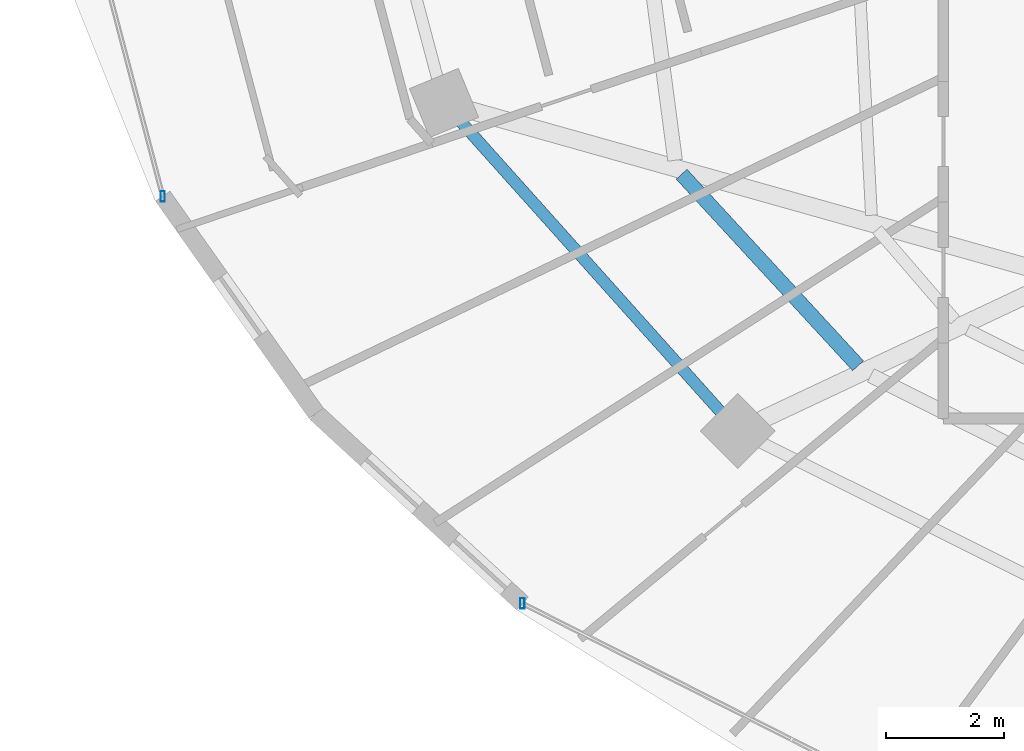
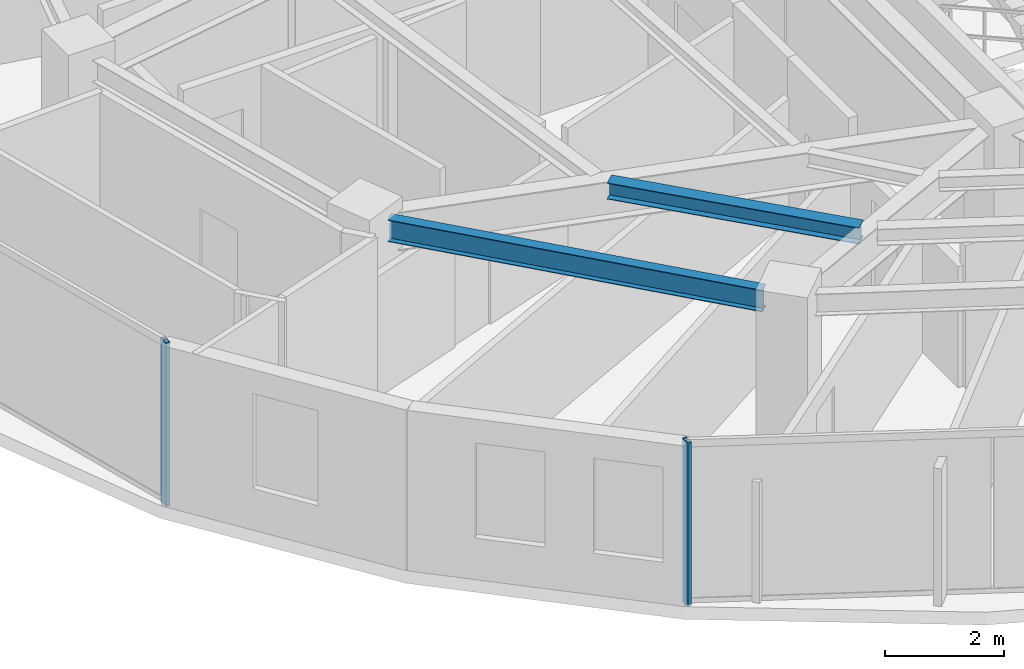
# One storey, part 2 of 34: 2 beams, 2 members, 2 elements without a shape of their own.
"""IFC4 building model written with IfcOpenShell, lengths in metres."""

from ifc_helpers import new_model, si_unit, direction, frame, origin, origin_2d, place, context, subcontext, project, spatial, hollow_rectangle, i_section, extrude, material, material_profile, profile_set, type_object, element, aggregate, save


model = new_model("IFC4")

# Units and contexts
model_context = context("Model", 3, precision=1e-05, world=origin(), true_north=direction((0.0, 1.0)))
body_context = subcontext(model_context, "Body", "Model", "MODEL_VIEW")
ifc_project = project(units=[si_unit("LENGTHUNIT", "METRE"), si_unit("AREAUNIT", "SQUARE_METRE"), si_unit("VOLUMEUNIT", "CUBIC_METRE"), si_unit("PLANEANGLEUNIT", "RADIAN"), si_unit("MASSUNIT", "GRAM", prefix="KILO")], contexts=[model_context])

# Site, building, storey
site_placement = place(None, origin())
site = spatial("IfcSite", under=ifc_project, at=site_placement, CompositionType="ELEMENT")
building_placement = place(site_placement, origin())
building = spatial("IfcBuilding", under=site, at=building_placement, Name="Vorneva Point Tower", CompositionType="ELEMENT")
storey_placement = place(building_placement, frame((0.0, 0.0, 214.300048828125)))
storey = spatial("IfcBuildingStorey", under=building, at=storey_placement, Name="L58", CompositionType="ELEMENT", Elevation=214.300048828125)

# Beams
ifc_material_1 = material(Name="Steel S355", Category="steel")
ifc_material_profile_1 = material_profile(ifc_material_1, i_section(OverallWidth=0.2490234375, OverallDepth=0.333984375, WebThickness=0.008056640625, FlangeThickness=0.010986328125, at=origin_2d()), Name="35Sh1")
ifc_profile_set_1 = profile_set([ifc_material_profile_1], Name="Steel S355")
beam_type_1 = type_object("IfcBeamType", Name="BM-SEC-35Sh1", PredefinedType="BEAM", material=ifc_profile_set_1)
beam_1_placement = place(storey_placement, frame((20.746337890625, 18.205078125, 3.123046875), z_axis=(0.677611480148, -0.735420071777, 0.0), x_axis=(0.735420071777, 0.677611480148, 0.0)))
element("IfcBeam", 1, at=beam_1_placement, inside=storey, type_object=beam_type_1, Name="L58 Secondary Floor Beam 1.10", PredefinedType="BEAM", context=body_context, shape_type="SweptSolid", body=[
    extrude(i_section(OverallWidth=0.2490234375, OverallDepth=0.333984375, WebThickness=0.008056640625, FlangeThickness=0.010986328125, at=origin_2d()), origin(), (0.0, 0.0, 1.0), 4.43017578125),
])
ifc_material_profile_2 = material_profile(ifc_material_1, i_section(OverallWidth=0.198974609375, OverallDepth=0.446044921875, WebThickness=0.008056640625, FlangeThickness=0.011962890625, at=origin_2d()), Name="45B1")
ifc_profile_set_2 = profile_set([ifc_material_profile_2], Name="Steel S355")
beam_type_2 = type_object("IfcBeamType", Name="BM-SPN-45B1", PredefinedType="SPANDREL", material=ifc_profile_set_2)
beam_2_placement = place(storey_placement, frame((16.994873046875, 19.09375, 3.06689453125), z_axis=(0.66706970547, -0.744995307397, 0.0), x_axis=(0.744995307397, 0.66706970547, 0.0)))
element("IfcBeam", 2, at=beam_2_placement, inside=storey, type_object=beam_type_2, Name="L58 Perimeter Spandrel Ring Beam 10", PredefinedType="SPANDREL", context=body_context, shape_type="SweptSolid", body=[
    extrude(i_section(OverallWidth=0.198974609375, OverallDepth=0.446044921875, WebThickness=0.008056640625, FlangeThickness=0.011962890625, at=origin_2d()), origin(), (0.0, 0.0, 1.0), 6.6201171875),
])

# Curtain wall, member
ifc_material_2 = material(Name="Pale anodised aluminium", Category="aluminium")
curtain_wall_type = type_object("IfcCurtainWallType", Name="CW-RES-SYS", PredefinedType="NOTDEFINED", material=ifc_material_2)
curtain_wall_1_placement = place(storey_placement, origin())
curtain_wall_1 = element("IfcCurtainWall", 3, at=curtain_wall_1_placement, inside=storey, type_object=curtain_wall_type, Name="L58 Unitised Curtain Wall CW-L58-R03", PredefinedType="NOTDEFINED")
ifc_material_profile_3 = material_profile(ifc_material_2, hollow_rectangle(XDim=0.074951171875, YDim=0.179931640625, WallThickness=0.00390625, at=origin_2d()), Name="AL-MUL 180x75x4")
ifc_profile_set_3 = profile_set([ifc_material_profile_3], Name="Pale anodised aluminium")
member_type = type_object("IfcMemberType", Name="CW-MUL-180", PredefinedType="MULLION", material=ifc_profile_set_3)
member_1_placement = place(storey_placement, frame((11.9189453125, 17.82958984375, -0.0400390625), z_axis=(0.0, 0.0, 1.0), x_axis=(1.0, 0.0, 0.0)))
member_1 = element("IfcMember", 4, at=member_1_placement, type_object=member_type, Name="CW-L58-R03 Mullion 02", PredefinedType="MULLION", context=body_context, shape_type="SweptSolid", body=[
    extrude(hollow_rectangle(XDim=0.074951171875, YDim=0.179931640625, WallThickness=0.00390625, at=origin_2d()), origin(), (0.0, 0.0, 1.0), 3.360107421875),
])
aggregate(curtain_wall_1, [member_1])

curtain_wall_2_placement = place(storey_placement, origin())
curtain_wall_2 = element("IfcCurtainWall", 5, at=curtain_wall_2_placement, inside=storey, type_object=curtain_wall_type, Name="L58 Unitised Curtain Wall CW-L58-R04", PredefinedType="NOTDEFINED")
member_2_placement = place(storey_placement, frame((18.038330078125, 10.9033203125, -0.0400390625), z_axis=(0.0, 0.0, 1.0), x_axis=(1.0, 0.0, 0.0)))
member_2 = element("IfcMember", 6, at=member_2_placement, type_object=member_type, Name="CW-L58-R04 Mullion 01", PredefinedType="MULLION", context=body_context, shape_type="SweptSolid", body=[
    extrude(hollow_rectangle(XDim=0.074951171875, YDim=0.179931640625, WallThickness=0.00390625, at=origin_2d()), origin(), (0.0, 0.0, 1.0), 3.360107421875),
])
aggregate(curtain_wall_2, [member_2])

save(model, "model.ifc")
